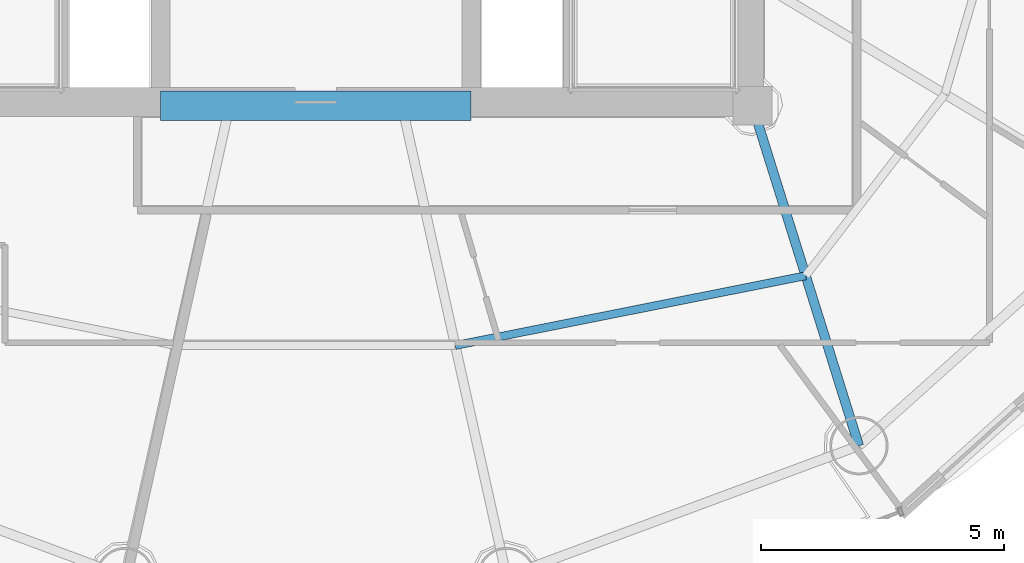
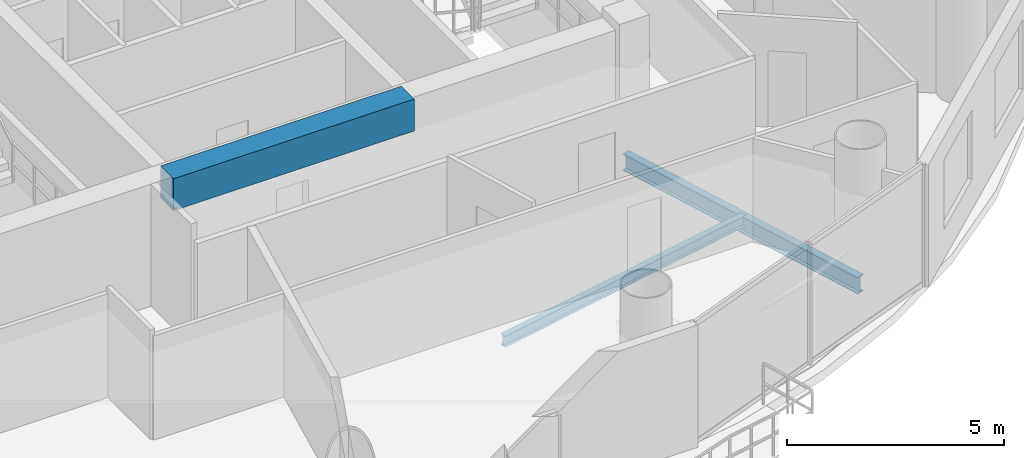
# One storey, part 7 of 26: 3 beams.
"""IFC4 building model written with IfcOpenShell, lengths in metres."""

from ifc_helpers import new_model, si_unit, direction, frame, origin, origin_2d, place, context, subcontext, project, spatial, rectangle, i_section, extrude, material, material_profile, profile_set, type_object, element, save


model = new_model("IFC4")

# Units and contexts
model_context = context("Model", 3, precision=1e-05, world=origin(), true_north=direction((-0.2419218956, 0.970295726276)))
body_context = subcontext(model_context, "Body", "Model", "MODEL_VIEW")
ifc_project = project(units=[si_unit("LENGTHUNIT", "METRE"), si_unit("AREAUNIT", "SQUARE_METRE"), si_unit("VOLUMEUNIT", "CUBIC_METRE"), si_unit("PLANEANGLEUNIT", "RADIAN"), si_unit("MASSUNIT", "GRAM", prefix="KILO")], contexts=[model_context])

# Site, building, storey
site_placement = place(None, origin())
site = spatial("IfcSite", under=ifc_project, at=site_placement, CompositionType="ELEMENT")
building_placement = place(site_placement, origin())
building = spatial("IfcBuilding", under=site, at=building_placement, Name="Cobrevalo Terracotta Tower", CompositionType="ELEMENT")
storey_placement = place(building_placement, frame((0.0, 0.0, 224.5)))
storey = spatial("IfcBuildingStorey", under=building, at=storey_placement, Name="L59", CompositionType="ELEMENT", Elevation=224.5)

# Beams
ifc_material_1 = material(Name="Concrete C60", Category="concrete")
ifc_material_profile_1 = material_profile(ifc_material_1, rectangle(XDim=0.60009765625, YDim=0.89990234375, at=origin_2d()), Name="RC CB 600x900")
ifc_profile_set_1 = profile_set([ifc_material_profile_1], Name="Concrete C60")
beam_type_1 = type_object("IfcBeamType", Name="Structural Beam RC CB 600x900 (Concrete C60)", PredefinedType="BEAM", material=ifc_profile_set_1)
beam_1_placement = place(storey_placement, frame((34.800048828125, 18.800048828125, 2.985107421875), z_axis=(1.0, 0.0, 0.0), x_axis=(0.0, 1.0, 0.0)))
element("IfcBeam", 1, at=beam_1_placement, inside=storey, type_object=beam_type_1, Name="L59 core coupling beam 1", PredefinedType="BEAM", context=body_context, shape_type="SweptSolid", body=[
    extrude(rectangle(XDim=0.60009765625, YDim=0.89990234375, at=origin_2d()), origin(), (0.0, 0.0, 1.0), 6.39990234375),
])
ifc_material_2 = material(Name="Steel S355", Category="steel")
ifc_material_profile_2 = material_profile(ifc_material_2, i_section(OverallWidth=0.194091796875, OverallDepth=0.468994140625, WebThickness=0.011474609375, FlangeThickness=0.0205078125, at=origin_2d()), Name="W 460x106")
ifc_profile_set_2 = profile_set([ifc_material_profile_2], Name="Steel S355")
beam_type_2 = type_object("IfcBeamType", Name="Structural Beam W 460x106 (Steel S355)", PredefinedType="BEAM", material=ifc_profile_set_2)
beam_2_placement = place(storey_placement, frame((49.19482421875, 11.7919921875, -0.49951171875), z_axis=(-0.298871212691, 0.954293454984, 0.0), x_axis=(-0.954293454984, -0.298871212691, 0.0)))
element("IfcBeam", 2, at=beam_2_placement, inside=storey, type_object=beam_type_2, Name="L59 radial floor girder 14", PredefinedType="BEAM", context=body_context, shape_type="SweptSolid", body=[
    extrude(i_section(OverallWidth=0.194091796875, OverallDepth=0.468994140625, WebThickness=0.011474609375, FlangeThickness=0.0205078125, at=origin_2d()), origin(), (0.0, 0.0, 1.0), 7.34375),
])
ifc_material_profile_3 = material_profile(ifc_material_2, i_section(OverallWidth=0.1650390625, OverallDepth=0.31005859375, WebThickness=0.005859375, FlangeThickness=0.009765625, at=origin_2d()), Name="W 310x38.7")
ifc_profile_set_3 = profile_set([ifc_material_profile_3], Name="Steel S355")
beam_type_3 = type_object("IfcBeamType", Name="Structural Joist W 310x38.7 (Steel S355)", PredefinedType="JOIST", material=ifc_profile_set_3)
beam_3_placement = place(storey_placement, frame((40.873779296875, 13.8583984375, -0.419921875), z_axis=(0.980768907748, 0.195172614871, 0.0), x_axis=(-0.195172614871, 0.980768907748, 0.0)))
element("IfcBeam", 3, at=beam_3_placement, inside=storey, type_object=beam_type_3, Name="L59 circumferential secondary floor joist 13", PredefinedType="JOIST", context=body_context, shape_type="SweptSolid", body=[
    extrude(i_section(OverallWidth=0.1650390625, OverallDepth=0.31005859375, WebThickness=0.005859375, FlangeThickness=0.009765625, at=origin_2d()), origin(), (0.0, 0.0, 1.0), 7.365234375),
])

save(model, "model.ifc")
